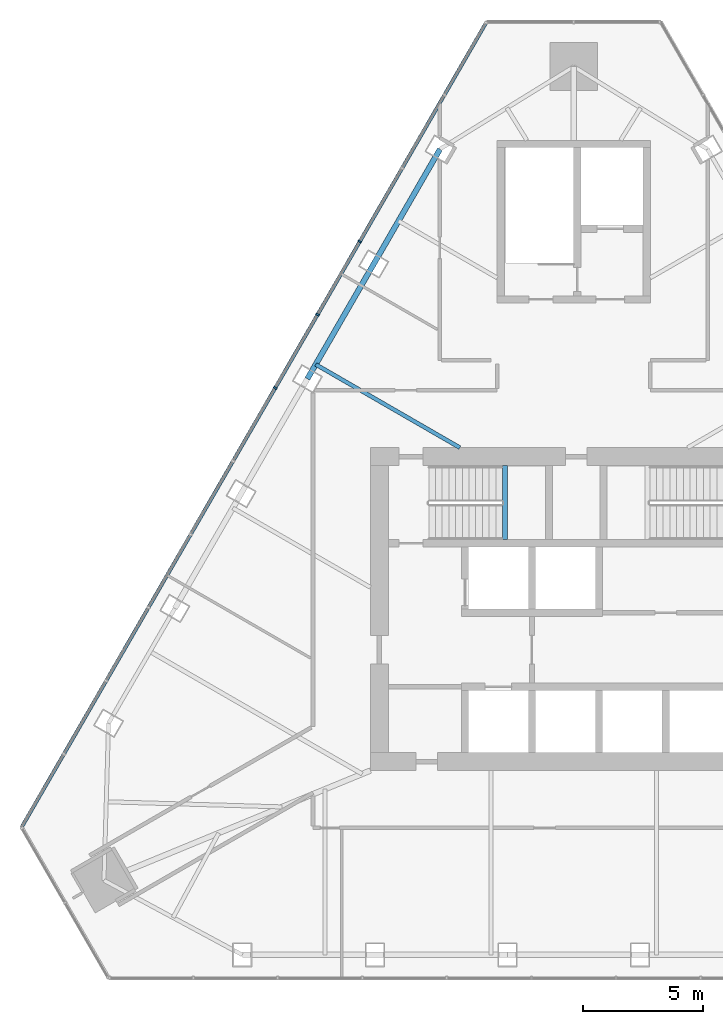
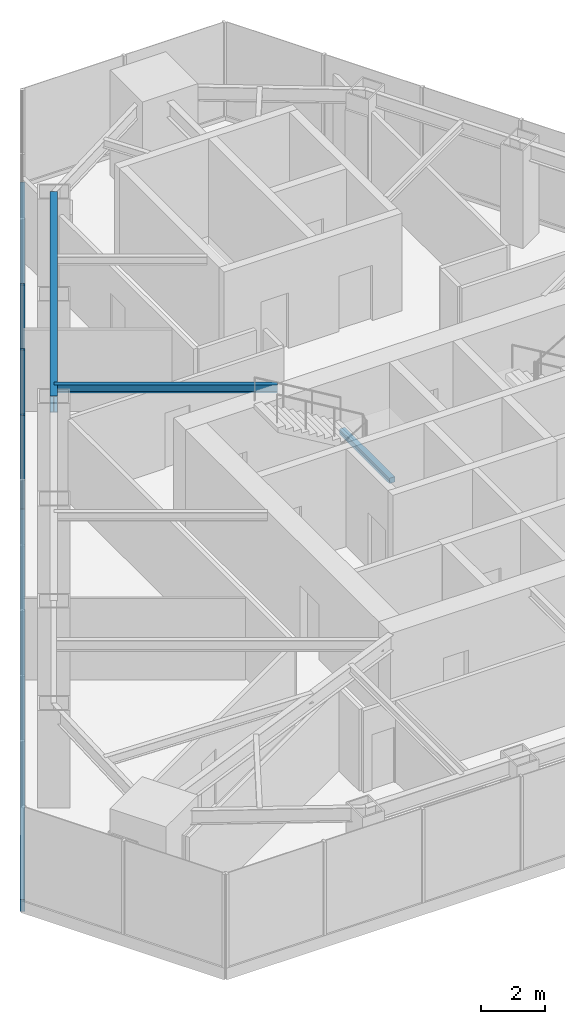
# One storey, part 5 of 13: 4 members, 3 beams, 1 element without a shape of its own.
"""IFC4 building model written with IfcOpenShell, lengths in metres."""

from ifc_helpers import new_model, si_unit, direction, frame, origin, origin_2d, place, context, subcontext, project, spatial, rectangle, i_section, extrude, material, layer, layer_set, material_profile, profile_set, type_object, element, aggregate, save


model = new_model("IFC4")

# Units and contexts
model_context = context("Model", 3, precision=1e-05, world=origin(), true_north=direction((0.0, 1.0)))
body_context = subcontext(model_context, "Body", "Model", "MODEL_VIEW")
ifc_project = project(units=[si_unit("LENGTHUNIT", "METRE"), si_unit("AREAUNIT", "SQUARE_METRE"), si_unit("VOLUMEUNIT", "CUBIC_METRE"), si_unit("PLANEANGLEUNIT", "RADIAN"), si_unit("MASSUNIT", "GRAM", prefix="KILO")], contexts=[model_context])

# Site, building, storey
site_placement = place(None, origin())
site = spatial("IfcSite", under=ifc_project, at=site_placement, CompositionType="ELEMENT")
building_placement = place(site_placement, origin())
building = spatial("IfcBuilding", under=site, at=building_placement, Name="Firuza Gate Tower and Library", CompositionType="ELEMENT")
storey_placement = place(building_placement, frame((0.0, 0.0, 335.60009765625)))
storey = spatial("IfcBuildingStorey", under=building, at=storey_placement, Name="L82", CompositionType="ELEMENT", Elevation=335.60009765625)

# Curtain wall, members
ifc_material_1 = material(Name="Aluminium 6063-T6", Category="aluminium")
ifc_layer = layer(ifc_material_1, 0.14990234375)
ifc_layer_set = layer_set([ifc_layer], Name="Ceramic screen wall, crown plant")
curtain_wall_type = type_object("IfcCurtainWallType", Name="Ceramic screen wall, crown plant", PredefinedType="NOTDEFINED", material=ifc_layer_set)
curtain_wall_placement = place(storey_placement, origin())
curtain_wall = element("IfcCurtainWall", 1, at=curtain_wall_placement, inside=storey, type_object=curtain_wall_type, Name="CW6 L82 W", PredefinedType="NOTDEFINED")
ifc_material_2 = material(Name="Aluminium 6063-T6", Category="aluminium")
ifc_material_profile_1 = material_profile(ifc_material_2, rectangle(XDim=0.14990234375, YDim=0.080078125, at=origin_2d()))
ifc_profile_set_1 = profile_set([ifc_material_profile_1], Name="Aluminium 6063-T6")
member_type_1 = type_object("IfcMemberType", Name="Curtain wall mullion 80x150", PredefinedType="MULLION", material=ifc_profile_set_1)
member_1_placement = place(storey_placement, frame((66.053955078125, 90.3701171875, 0.14990234375), z_axis=(0.0, 0.0, 1.0), x_axis=(0.866025403784, -0.5, 0.0)))
member_1 = element("IfcMember", 2, at=member_1_placement, type_object=member_type_1, Name="Mullion", PredefinedType="MULLION", context=body_context, shape_type="SweptSolid", body=[
    extrude(rectangle(XDim=0.14990234375, YDim=0.080078125, at=origin_2d()), origin(), (0.0, 0.0, 1.0), 3.550048828125),
])
member_2_placement = place(storey_placement, frame((64.286376953125, 87.30859375, 0.14990234375), z_axis=(0.0, 0.0, 1.0), x_axis=(0.866025403784, -0.5, 0.0)))
member_2 = element("IfcMember", 3, at=member_2_placement, type_object=member_type_1, Name="Mullion", PredefinedType="MULLION", context=body_context, shape_type="SweptSolid", body=[
    extrude(rectangle(XDim=0.14990234375, YDim=0.080078125, at=origin_2d()), origin(), (0.0, 0.0, 1.0), 3.550048828125),
])
member_3_placement = place(storey_placement, frame((62.518798828125, 84.2470703125, 0.14990234375), z_axis=(0.0, 0.0, 1.0), x_axis=(0.866025403784, -0.5, 0.0)))
member_3 = element("IfcMember", 4, at=member_3_placement, type_object=member_type_1, Name="Mullion", PredefinedType="MULLION", context=body_context, shape_type="SweptSolid", body=[
    extrude(rectangle(XDim=0.14990234375, YDim=0.080078125, at=origin_2d()), origin(), (0.0, 0.0, 1.0), 3.550048828125),
])
ifc_material_3 = material(Name="Aluminium 6063-T6", Category="aluminium")
ifc_material_profile_2 = material_profile(ifc_material_3, rectangle(XDim=0.14990234375, YDim=0.449951171875, at=origin_2d()))
ifc_profile_set_2 = profile_set([ifc_material_profile_2], Name="Aluminium 6063-T6")
member_type_2 = type_object("IfcMemberType", Name="Curtain wall transom 450x150", PredefinedType="USERDEFINED", material=ifc_profile_set_2)
member_4_placement = place(storey_placement, frame((71.356689453125, 99.5546875, -0.0751953125), z_axis=(-0.500001430823, -0.866024577697, 0.0), x_axis=(0.866024577697, -0.500001430823, 0.0)))
member_4 = element("IfcMember", 5, at=member_4_placement, type_object=member_type_2, Name="Transom", ObjectType="TRANSOM", PredefinedType="USERDEFINED", context=body_context, shape_type="SweptSolid", body=[
    extrude(rectangle(XDim=0.14990234375, YDim=0.449951171875, at=origin_2d()), origin(), (0.0, 0.0, 1.0), 38.88671875),
])
aggregate(curtain_wall, [member_1, member_2, member_3, member_4])

# Beams
ifc_material_4 = material(Name="Concrete C35/45", Category="concrete")
ifc_material_profile_3 = material_profile(ifc_material_4, rectangle(XDim=0.199951171875, YDim=0.199951171875, at=origin_2d()))
ifc_profile_set_3 = profile_set([ifc_material_profile_3], Name="Concrete C35/45")
beam_type_1 = type_object("IfcBeamType", Name="Stair landing bearer 200x200", PredefinedType="BEAM", material=ifc_profile_set_3)
beam_1_placement = place(storey_placement, frame((72.1201171875, 77.89990234375, 1.699951171875), z_axis=(0.0, 1.0, 0.0), x_axis=(-1.0, 0.0, 0.0)))
element("IfcBeam", 6, at=beam_1_placement, inside=storey, type_object=beam_type_1, Name="Landing bearer L82 stair 1", PredefinedType="BEAM", context=body_context, shape_type="SweptSolid", body=[
    extrude(rectangle(XDim=0.199951171875, YDim=0.199951171875, at=origin_2d()), origin(), (0.0, 0.0, 1.0), 3.10009765625),
])
ifc_material_5 = material(Name="Steel S355", Category="steel")
ifc_material_profile_4 = material_profile(ifc_material_5, i_section(OverallWidth=0.1650390625, OverallDepth=0.31005859375, WebThickness=0.005859375, FlangeThickness=0.009765625, at=origin_2d()))
ifc_profile_set_4 = profile_set([ifc_material_profile_4], Name="Steel S355")
beam_type_2 = type_object("IfcBeamType", Name="W310x39 Floor beam", PredefinedType="JOIST", material=ifc_profile_set_4)
beam_2_placement = place(storey_placement, frame((64.211669921875, 85.22900390625, 3.544921875), z_axis=(0.866019052629, -0.500011000363, 0.0), x_axis=(0.500011000363, 0.866019052629, 0.0)))
element("IfcBeam", 7, at=beam_2_placement, inside=storey, type_object=beam_type_2, Name="Floor beam L82 s81", PredefinedType="JOIST", context=body_context, shape_type="SweptSolid", body=[
    extrude(i_section(OverallWidth=0.1650390625, OverallDepth=0.31005859375, WebThickness=0.005859375, FlangeThickness=0.009765625, at=origin_2d()), origin(), (0.0, 0.0, 1.0), 6.957763671875),
])
ifc_material_6 = material(Name="Steel S355", Category="steel")
ifc_material_profile_5 = material_profile(ifc_material_6, i_section(OverallWidth=0.22900390625, OverallDepth=0.612060546875, WebThickness=0.011962890625, FlangeThickness=0.01953125, at=origin_2d()))
ifc_profile_set_5 = profile_set([ifc_material_profile_5], Name="Steel S355")
beam_type_3 = type_object("IfcBeamType", Name="W610x125 Edge beam", PredefinedType="SPANDREL", material=ifc_profile_set_5)
beam_3_placement = place(storey_placement, frame((69.407958984375, 94.2294921875, 3.393798828125), z_axis=(-0.499988074738, -0.866032288728, 0.0), x_axis=(0.866032288728, -0.499988074738, 0.0)))
element("IfcBeam", 8, at=beam_3_placement, inside=storey, type_object=beam_type_3, Name="Edge beam L82 e80", PredefinedType="SPANDREL", context=body_context, shape_type="SweptSolid", body=[
    extrude(i_section(OverallWidth=0.22900390625, OverallDepth=0.612060546875, WebThickness=0.011962890625, FlangeThickness=0.01953125, at=origin_2d()), origin(), (0.0, 0.0, 1.0), 11.085693359375),
])

save(model, "model.ifc")
